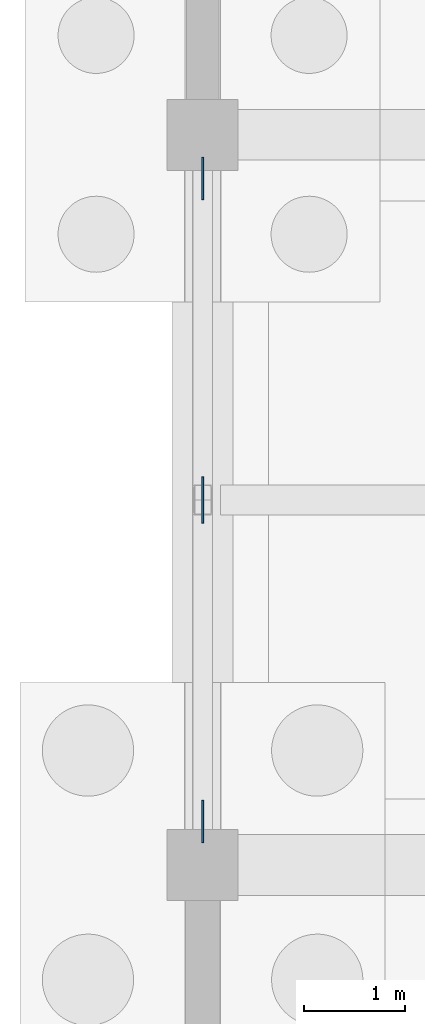
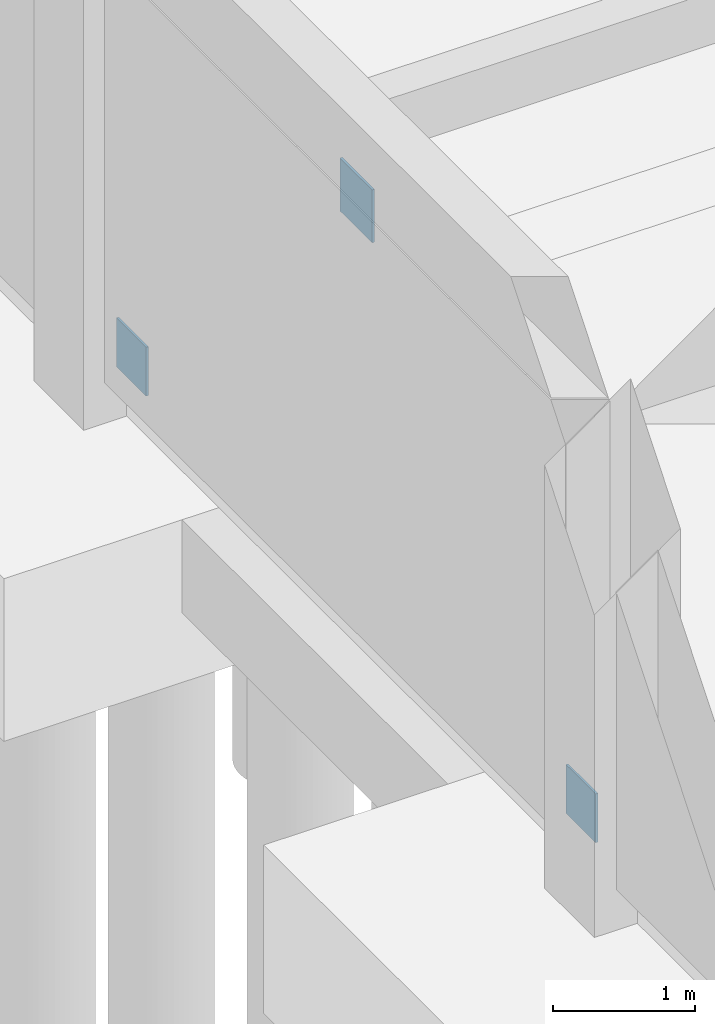
# One storey, part 53 of 79: 3 plates.
"""IFC4 building model written with IfcOpenShell, lengths in metres."""

from ifc_helpers import new_model, si_unit, direction, frame, origin, origin_2d, place, context, subcontext, project, spatial, rectangle, extrude, material, layer, layer_set, type_object, element, save


model = new_model("IFC4")

# Units and contexts
model_context = context("Model", 3, precision=1e-05, world=origin(), true_north=direction((0.0, 1.0)))
body_context = subcontext(model_context, "Body", "Model", "MODEL_VIEW")
ifc_project = project(units=[si_unit("LENGTHUNIT", "METRE"), si_unit("AREAUNIT", "SQUARE_METRE"), si_unit("VOLUMEUNIT", "CUBIC_METRE"), si_unit("PLANEANGLEUNIT", "RADIAN"), si_unit("MASSUNIT", "GRAM", prefix="KILO")], contexts=[model_context])

# Site, building, storey
site_placement = place(None, origin())
site = spatial("IfcSite", under=ifc_project, at=site_placement, CompositionType="ELEMENT")
building_placement = place(site_placement, origin())
building = spatial("IfcBuilding", under=site, at=building_placement, Name="Kavelor Marine Aquarium", CompositionType="ELEMENT")
storey_placement = place(building_placement, origin())
storey = spatial("IfcBuildingStorey", under=building, at=storey_placement, Name="L00", CompositionType="ELEMENT", Elevation=0.0)

# Plates
ifc_material_1 = material(Name="Steel S355", Category="steel")
ifc_layer_1 = layer(ifc_material_1, 0.01953125)
ifc_layer_set_1 = layer_set([ifc_layer_1], Name="PL-GP11")
plate_type_1 = type_object("IfcPlateType", Name="PL-GP11", PredefinedType="SHEET", material=ifc_layer_set_1)
plate_placement = place(storey_placement, frame((3.199951171875, 92.800048828125, 3.25244140625), z_axis=(0.0, 0.0, 1.0), x_axis=(1.0, 0.0, 0.0)))
element("IfcPlate", 1, at=plate_placement, inside=storey, type_object=plate_type_1, Name="sbr:gp:m:0", PredefinedType="SHEET", context=body_context, shape_type="SweptSolid", body=[
    extrude(rectangle(XDim=0.01953125, YDim=0.455078125, at=origin_2d()), origin(), (0.0, 0.0, 1.0), 0.455078125),
])
ifc_material_2 = material(Name="Steel S355", Category="steel")
ifc_layer_2 = layer(ifc_material_2, 0.01806640625)
ifc_layer_set_2 = layer_set([ifc_layer_2], Name="PL-GP12")
plate_type_2 = type_object("IfcPlateType", Name="PL-GP12", PredefinedType="SHEET", material=ifc_layer_set_2)
for number, where, z_axis, x_axis, name in (
    (2, (3.199951171875, 89.6298828125, 0.0), (0.0, 0.0, 1.0), (1.0, 0.0, 0.0), "sbr:gp:a:0"),
    (3, (3.199951171875, 95.969970703125, 0.0), (0.0, 0.0, 1.0), (1.0, 0.0, 0.0), "sbr:gp:b:0"),
):
    element("IfcPlate", number, at=place(storey_placement, frame(where, z_axis=z_axis, x_axis=x_axis)), inside=storey, type_object=plate_type_2, Name=name, PredefinedType="SHEET", context=body_context, shape_type="SweptSolid", body=[
        extrude(rectangle(XDim=0.01806640625, YDim=0.419921875, at=origin_2d()), origin(), (0.0, 0.0, 1.0), 0.419921875),
    ])

save(model, "model.ifc")
